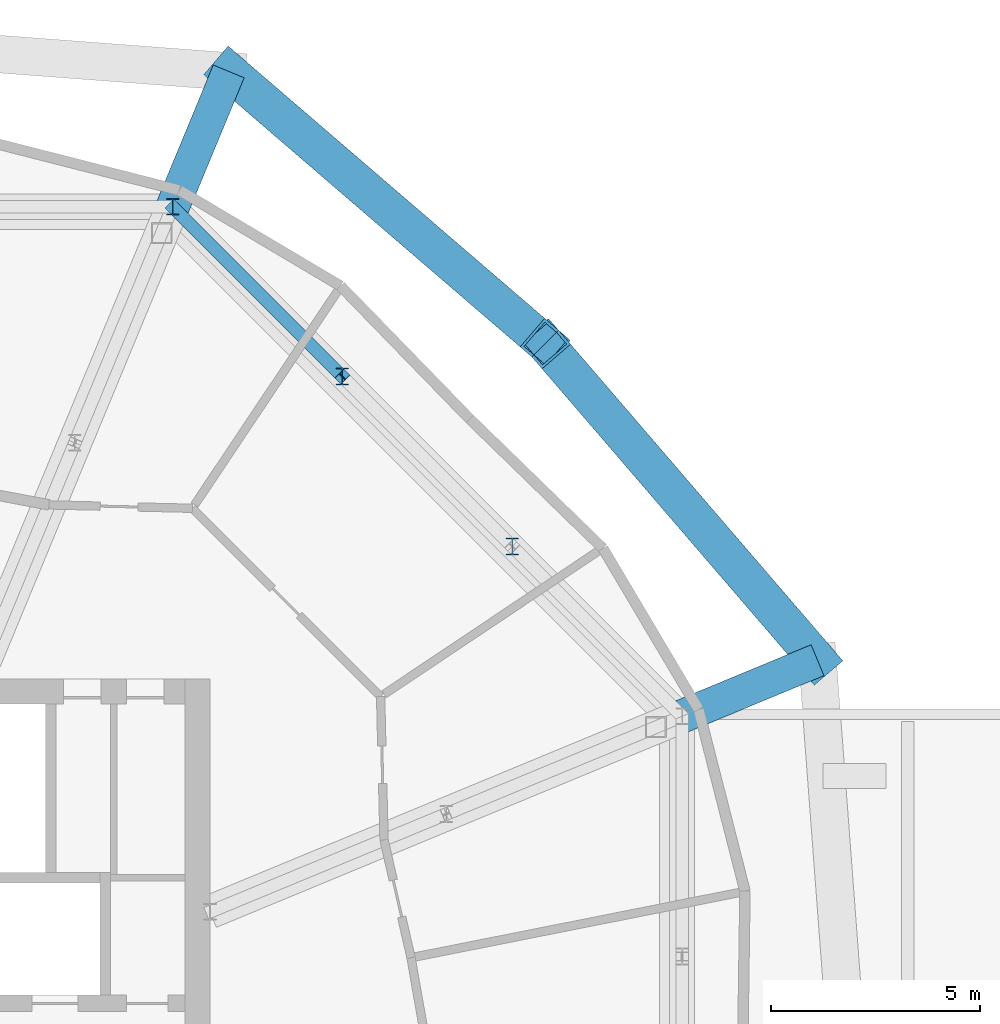
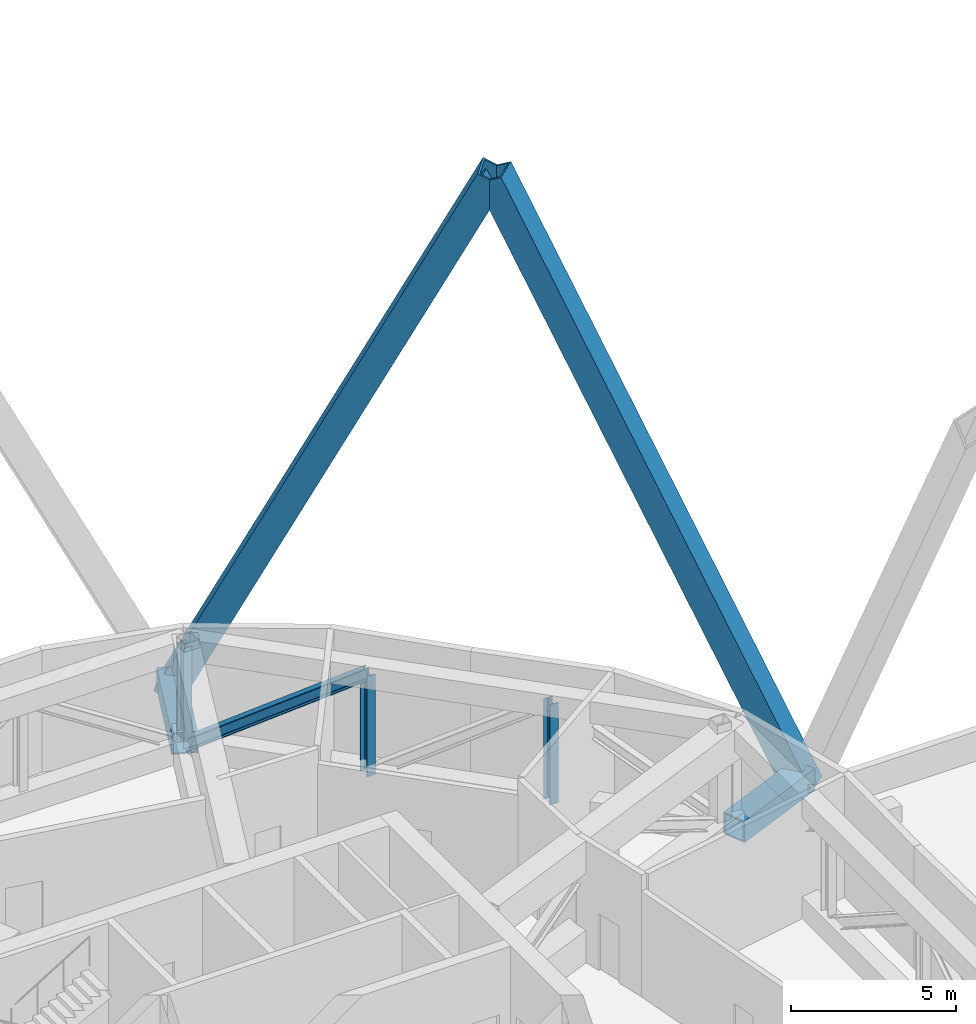
# One storey, part 6 of 20: 6 members, 2 beams.
"""IFC4 building model written with IfcOpenShell, lengths in metres."""

import ifcopenshell
import ifcopenshell.guid

model = None  # the IFC model being written
_history = None  # IfcOwnerHistory: only IFC2X3 demands one
_inside = {}  # id of a spatial element -> (the spatial element, [elements in it])
_under = {}  # id of a project, library or spatial element -> (it, [spatial elements below it])
_declared = {}  # id of a project -> (the project, [libraries it declares])
_typed = {}  # id of a type object -> (the type object, [elements of that type])
_made_of = {}  # id of a material, layer set ... -> (it, [elements and type objects made of it])


def new_model(schema):
    """Start an empty IFC model of exactly this schema.

    Asked for "IFC4X3", IfcOpenShell would pick the latest addendum, in which some entities
    have other attributes; the version numbers below select the first issue.
    IFC2X3 requires an IfcOwnerHistory on every rooted entity: one is made here for all.
    """
    global model, _history
    if schema == "IFC4X3":
        model = ifcopenshell.file(schema_version=(4, 3, 0, 0))
    else:
        model = ifcopenshell.file(schema=schema)
    _inside.clear()
    _under.clear()
    _declared.clear()
    _typed.clear()
    _made_of.clear()
    _history = None
    if model.schema == "IFC2X3":
        org = make("IfcOrganization", Name="unknown")
        user = make(
            "IfcPersonAndOrganization",
            ThePerson=make("IfcPerson", FamilyName="unknown"),
            TheOrganization=org,
        )
        app = make(
            "IfcApplication",
            ApplicationDeveloper=org,
            Version="unknown",
            ApplicationFullName="unknown",
            ApplicationIdentifier="unknown",
        )
        _history = make(
            "IfcOwnerHistory",
            OwningUser=user,
            OwningApplication=app,
            ChangeAction="ADDED",
            CreationDate=0,
        )
    return model


def make(cls, **values):
    """One entity of the class cls with the attributes given. An attribute that is None is left unset."""
    return model.create_entity(
        cls, **{name: value for name, value in values.items() if value is not None}
    )


def rooted(cls, **values):
    """An entity with a GlobalId (a new one), such as an element, a storey or a relation."""
    return make(cls, GlobalId=ifcopenshell.guid.new(), OwnerHistory=_history, **values)


def si_unit(unit_type, name, prefix=None):
    """IfcSIUnit, for example si_unit("LENGTHUNIT", "METRE", prefix="MILLI")."""
    return make("IfcSIUnit", UnitType=unit_type, Prefix=prefix, Name=name)


def assignment(units):
    """IfcUnitAssignment: the units of a project."""
    return None if units is None else make("IfcUnitAssignment", Units=units)


def point(xyz):
    """IfcCartesianPoint."""
    return None if xyz is None else make("IfcCartesianPoint", Coordinates=xyz)


def direction(xyz):
    """IfcDirection."""
    return None if xyz is None else make("IfcDirection", DirectionRatios=xyz)


def frame(location, z_axis=None, x_axis=None):
    """IfcAxis2Placement3D, a coordinate frame: its origin and axes. An axis left out is left unset."""
    return make(
        "IfcAxis2Placement3D",
        Location=point(location),
        Axis=direction(z_axis),
        RefDirection=direction(x_axis),
    )


def frame_2d(location, x_axis=None):
    """IfcAxis2Placement2D, a coordinate frame in the plane: its origin and x axis."""
    return make(
        "IfcAxis2Placement2D", Location=point(location), RefDirection=direction(x_axis)
    )


def origin():
    """The frame at (0, 0, 0) with its axes left unset."""
    return frame((0.0, 0.0, 0.0))


def origin_2d():
    """The frame at (0, 0) in the plane with its x axis left unset."""
    return frame_2d((0.0, 0.0))


def place(relative_to, where):
    """IfcLocalPlacement: puts the frame where relative to a parent placement (None: the world)."""
    return make(
        "IfcLocalPlacement", PlacementRelTo=relative_to, RelativePlacement=where
    )


def context(
    kind, dimensions, precision=None, world=None, true_north=None, identifier=None
):
    """IfcGeometricRepresentationContext, for example the 3D "Model" context."""
    return make(
        "IfcGeometricRepresentationContext",
        ContextIdentifier=identifier,
        ContextType=kind,
        CoordinateSpaceDimension=dimensions,
        Precision=precision,
        WorldCoordinateSystem=world,
        TrueNorth=true_north,
    )


def subcontext(parent, identifier, kind, view, scale=None):
    """IfcGeometricRepresentationSubContext, for example "Body" below "Model"."""
    return make(
        "IfcGeometricRepresentationSubContext",
        ContextIdentifier=identifier,
        ContextType=kind,
        ParentContext=parent,
        TargetScale=scale,
        TargetView=view,
    )


def project(units=None, contexts=None):
    """IfcProject with its units and contexts."""
    return rooted(
        "IfcProject",
        Name="project",
        RepresentationContexts=contexts,
        UnitsInContext=assignment(units),
    )


def spatial(cls, under=None, at=None, **own):
    """A site, building, storey or space (cls), placed at a placement, below another one or the project."""
    s = rooted(cls, ObjectPlacement=at, **own)
    if under is not None:
        _under.setdefault(under.id(), (under, []))[1].append(s)
    return s


def profile(cls, at=None, kind="AREA", **sizes):
    """A parametric profile (cls). Its sizes go by their IFC names, for example OverallWidth=200.0."""
    return make(cls, ProfileType=kind, Position=at, **sizes)


def hollow_rectangle(**sizes):
    """IfcRectangleHollowProfileDef."""
    return profile("IfcRectangleHollowProfileDef", **sizes)


def i_section(**sizes):
    """IfcIShapeProfileDef."""
    return profile("IfcIShapeProfileDef", **sizes)


def extrude(swept, where, along, depth):
    """IfcExtrudedAreaSolid: the profile swept, set in the frame where, extruded along a direction by depth."""
    return make(
        "IfcExtrudedAreaSolid",
        SweptArea=swept,
        Position=where,
        ExtrudedDirection=direction(along),
        Depth=depth,
    )


def shape(context_of_items, identifier, shape_type, items):
    """IfcShapeRepresentation: the items that make up one representation, for example the "Body"."""
    return make(
        "IfcShapeRepresentation",
        ContextOfItems=context_of_items,
        RepresentationIdentifier=identifier,
        RepresentationType=shape_type,
        Items=items,
    )


def material(Name=None, Category=None):
    """IfcMaterial."""
    return make("IfcMaterial", Name=Name, Category=Category)


def material_profile(
    of_material, cross_section, Name=None, Category=None, Priority=None
):
    """IfcMaterialProfile: a cross section and its material."""
    return make(
        "IfcMaterialProfile",
        Name=Name,
        Material=of_material,
        Profile=cross_section,
        Priority=Priority,
        Category=Category,
    )


def profile_set(profiles, Name=None, composite=None):
    """IfcMaterialProfileSet."""
    return make(
        "IfcMaterialProfileSet",
        Name=Name,
        MaterialProfiles=profiles,
        CompositeProfile=composite,
    )


def made_of(thing, what):
    """Note that an element or type object is made of a material, layer set ...; save() writes the relation."""
    if what is not None:
        _made_of.setdefault(what.id(), (what, []))[1].append(thing)
    return thing


def type_object(cls, material=None, **own):
    """A type object (cls), such as IfcWallType, which elements share."""
    return made_of(rooted(cls, **own), material)


def element(
    cls,
    number,
    at=None,
    inside=None,
    cuts=None,
    type_object=None,
    material=None,
    context=None,
    identifier="Body",
    shape_type=None,
    held_by="IfcProductDefinitionShape",
    body=None,
    shapes=None,
    **own,
):
    """One element of the class cls, such as IfcWall. Its Tag is "e" and its number.

    at: its placement. inside: the storey or other place that contains it. cuts: it is an
    opening in that element (IfcRelVoidsElement). A single representation is given by context,
    identifier, shape_type and body (its items); several are given by shapes. held_by: the class
    of the entity that holds the representations. save() writes the other relations.
    """
    e = rooted(cls, Tag="e%d" % number, ObjectPlacement=at, **own)
    if body is not None:
        shapes = [shape(context, identifier, shape_type, body)]
    if shapes is not None:
        e.Representation = make(held_by, Representations=shapes)
    if inside is not None:
        _inside.setdefault(inside.id(), (inside, []))[1].append(e)
    if cuts is not None:
        rooted(
            "IfcRelVoidsElement", RelatingBuildingElement=cuts, RelatedOpeningElement=e
        )
    if type_object is not None:
        _typed.setdefault(type_object.id(), (type_object, []))[1].append(e)
    return made_of(e, material)


def aggregate(whole, parts):
    """IfcRelAggregates: a whole, such as a stair, and the parts it consists of."""
    return rooted("IfcRelAggregates", RelatingObject=whole, RelatedObjects=parts)


def save(model, path):
    """Write the relations noted so far, then the file.

    IfcRelAggregates (storeys below a building ...), IfcRelContainedInSpatialStructure (elements
    in a storey), IfcRelDefinesByType, IfcRelAssociatesMaterial and IfcRelDeclares: one each for
    every whole, place, type object, material and project.
    """
    for whole, parts in _under.values():
        aggregate(whole, parts)
    for where, things in _inside.values():
        rooted(
            "IfcRelContainedInSpatialStructure",
            RelatedElements=things,
            RelatingStructure=where,
        )
    for kind, things in _typed.values():
        rooted("IfcRelDefinesByType", RelatedObjects=things, RelatingType=kind)
    for what, things in _made_of.values():
        rooted("IfcRelAssociatesMaterial", RelatedObjects=things, RelatingMaterial=what)
    for by, libraries in _declared.values():
        rooted("IfcRelDeclares", RelatingContext=by, RelatedDefinitions=libraries)
    model.write(path)


model = new_model("IFC4")

# Units and contexts
model_context = context("Model", 3, precision=1e-05, world=origin(), true_north=direction((0.0, 1.0)))
body_context = subcontext(model_context, "Body", "Model", "MODEL_VIEW")
ifc_project = project(units=[si_unit("LENGTHUNIT", "METRE"), si_unit("AREAUNIT", "SQUARE_METRE"), si_unit("VOLUMEUNIT", "CUBIC_METRE"), si_unit("PLANEANGLEUNIT", "RADIAN"), si_unit("MASSUNIT", "GRAM", prefix="KILO")], contexts=[model_context])

# Site, building, storey
site_placement = place(None, origin())
site = spatial("IfcSite", under=ifc_project, at=site_placement, CompositionType="ELEMENT")
building_placement = place(site_placement, origin())
building = spatial("IfcBuilding", under=site, at=building_placement, Name="Ogive Gate Towers", CompositionType="ELEMENT")
storey_placement = place(building_placement, frame((0.0, 0.0, 160.800048828125)))
storey = spatial("IfcBuildingStorey", under=building, at=storey_placement, Name="L38", CompositionType="ELEMENT", Elevation=160.800048828125)

# Members
ifc_material = material(Name="Steel SM460", Category="steel")
ifc_material_profile_1 = material_profile(ifc_material, hollow_rectangle(XDim=0.89990234375, YDim=0.89990234375, WallThickness=0.070068359375, at=origin_2d()), Name="BX 900x900x70")
ifc_profile_set_1 = profile_set([ifc_material_profile_1], Name="Steel SM460")
member_type_1 = type_object("IfcMemberType", Name="Diagrid diagonal BX 900x900x70", PredefinedType="BRACE", material=ifc_profile_set_1)
for number, where, z_axis, x_axis, name in (
    (1, (-11.98828125, 9.94580078125, 0.0), (-0.286407312058, 0.333025507377, 0.898367888471), (-0.758179145942, -0.652046304076, 0.0), "T1/L38/SDG002"),
    (2, (-26.05419921875, 24.01171875, 0.0), (0.333025507377, -0.286407312058, 0.898367888471), (0.652046304076, 0.758179145942, 0.0), "T1/L38/SDG003"),
):
    element("IfcMember", number, at=place(storey_placement, frame(where, z_axis=z_axis, x_axis=x_axis)), inside=storey, type_object=member_type_1, Name=name, PredefinedType="BRACE", context=body_context, shape_type="SweptSolid", body=[
        extrude(hollow_rectangle(XDim=0.89990234375, YDim=0.89990234375, WallThickness=0.070068359375, at=origin_2d()), origin(), (0.0, 0.0, 1.0), 22.707763671875),
    ])

# Beams
ifc_material_profile_2 = material_profile(ifc_material, hollow_rectangle(XDim=0.800048828125, YDim=0.800048828125, WallThickness=0.050048828125, at=origin_2d()), Name="BX 800x800x50")
ifc_profile_set_2 = profile_set([ifc_material_profile_2], Name="Steel SM460")
beam_type = type_object("IfcBeamType", Name="Node arm BX 800x800x50", PredefinedType="BEAM", material=ifc_profile_set_2)
for number, where, z_axis, x_axis, name in (
    (3, (-15.221923828125, 8.6064453125, 0.449951171875), (0.923885910704, 0.382668033682, 0.0), (-0.382668033682, 0.923885910704, 0.0), "T1/L38/SBM017"),
    (4, (-27.3935546875, 20.778076171875, 0.449951171875), (0.382668033682, 0.923885910704, 0.0), (-0.923885910704, 0.382668033682, 0.0), "T1/L38/SBM018"),
):
    element("IfcBeam", number, at=place(storey_placement, frame(where, z_axis=z_axis, x_axis=x_axis)), inside=storey, type_object=beam_type, Name=name, PredefinedType="BEAM", context=body_context, shape_type="SweptSolid", body=[
        extrude(hollow_rectangle(XDim=0.800048828125, YDim=0.800048828125, WallThickness=0.050048828125, at=origin_2d()), origin(), (0.0, 0.0, 1.0), 3.5),
    ])

# Members
ifc_material_profile_3 = material_profile(ifc_material, i_section(OverallWidth=0.300048828125, OverallDepth=0.39990234375, WebThickness=0.013427734375, FlangeThickness=0.02392578125, FilletRadius=0.027099609375, at=origin_2d()), Name="HE 400 B")
ifc_profile_set_3 = profile_set([ifc_material_profile_3], Name="Steel SM460")
member_type_2 = type_object("IfcMemberType", Name="Truss diagonal HE 400 B", PredefinedType="BRACE", material=ifc_profile_set_3)
member_placement = place(storey_placement, frame((-23.33642578125, 16.720947265625, 4.099853515625), z_axis=(-0.594262314662, 0.594262314662, -0.541945202714), x_axis=(-0.707106781187, -0.707106781187, 0.0)))
element("IfcMember", 5, at=member_placement, inside=storey, type_object=member_type_2, Name="T1/L38/STR005", PredefinedType="BRACE", context=body_context, shape_type="SweptSolid", body=[
    extrude(i_section(OverallWidth=0.300048828125, OverallDepth=0.39990234375, WebThickness=0.013427734375, FlangeThickness=0.02392578125, FilletRadius=0.027099609375, at=origin_2d()), origin(), (0.0, 0.0, 1.0), 6.8271484375),
])
ifc_material_profile_4 = material_profile(ifc_material, i_section(OverallWidth=0.300048828125, OverallDepth=0.39990234375, WebThickness=0.013427734375, FlangeThickness=0.02392578125, FilletRadius=0.027099609375, at=origin_2d()), Name="HE 400 B")
ifc_profile_set_4 = profile_set([ifc_material_profile_4], Name="Steel SM460")
member_type_3 = type_object("IfcMemberType", Name="Truss post HE 400 B", PredefinedType="POST", material=ifc_profile_set_4)
for number, where, z_axis, x_axis, name in (
    (6, (-19.279052734375, 12.66357421875, 0.39990234375), (0.0, 0.0, 1.0), (1.0, 0.0, 0.0), "T1/L38/STR007"),
    (7, (-23.33642578125, 16.720947265625, 0.39990234375), (0.0, 0.0, 1.0), (1.0, 0.0, 0.0), "T1/L38/STR008"),
    (8, (-27.3935546875, 20.778076171875, 0.39990234375), (0.0, 0.0, 1.0), (1.0, 0.0, 0.0), "T1/L38/STR009"),
):
    element("IfcMember", number, at=place(storey_placement, frame(where, z_axis=z_axis, x_axis=x_axis)), inside=storey, type_object=member_type_3, Name=name, PredefinedType="POST", context=body_context, shape_type="SweptSolid", body=[
        extrude(i_section(OverallWidth=0.300048828125, OverallDepth=0.39990234375, WebThickness=0.013427734375, FlangeThickness=0.02392578125, FilletRadius=0.027099609375, at=origin_2d()), origin(), (0.0, 0.0, 1.0), 3.699951171875),
    ])

save(model, "model.ifc")
